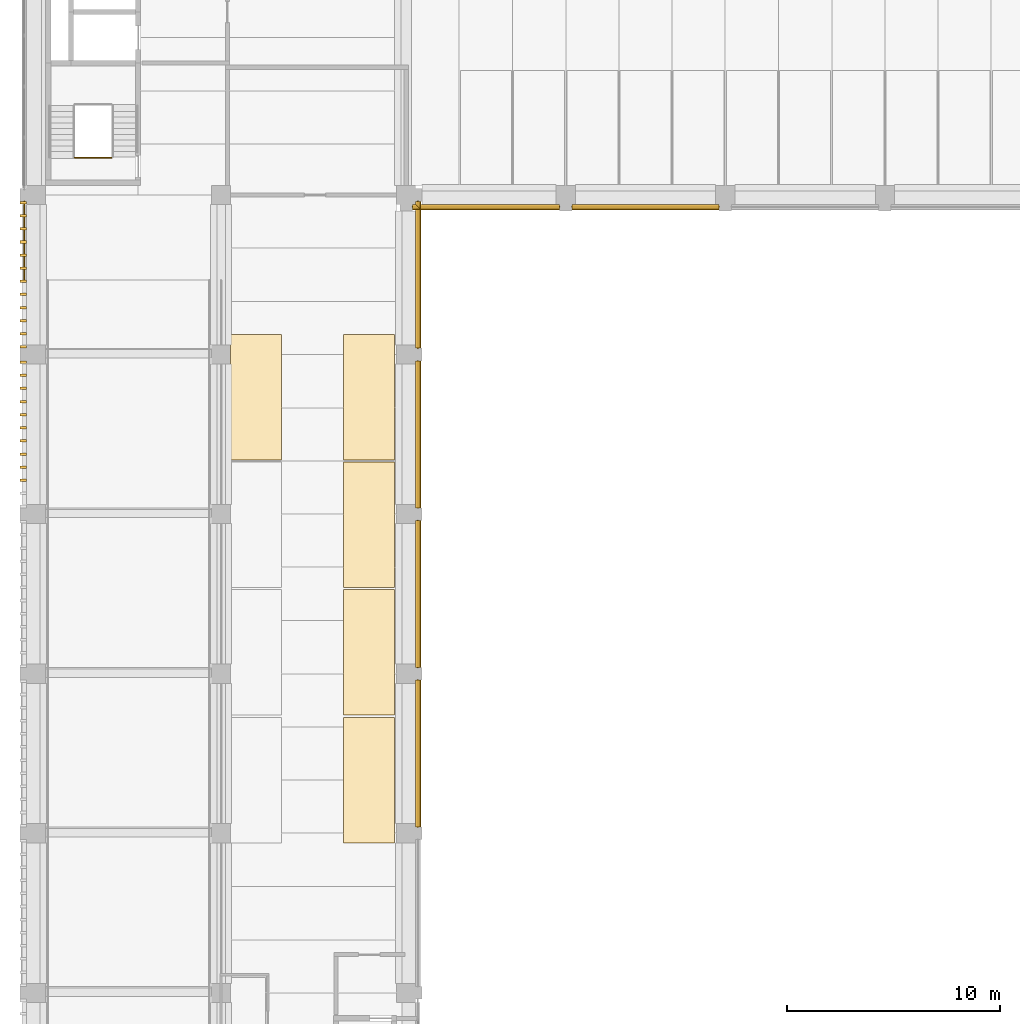
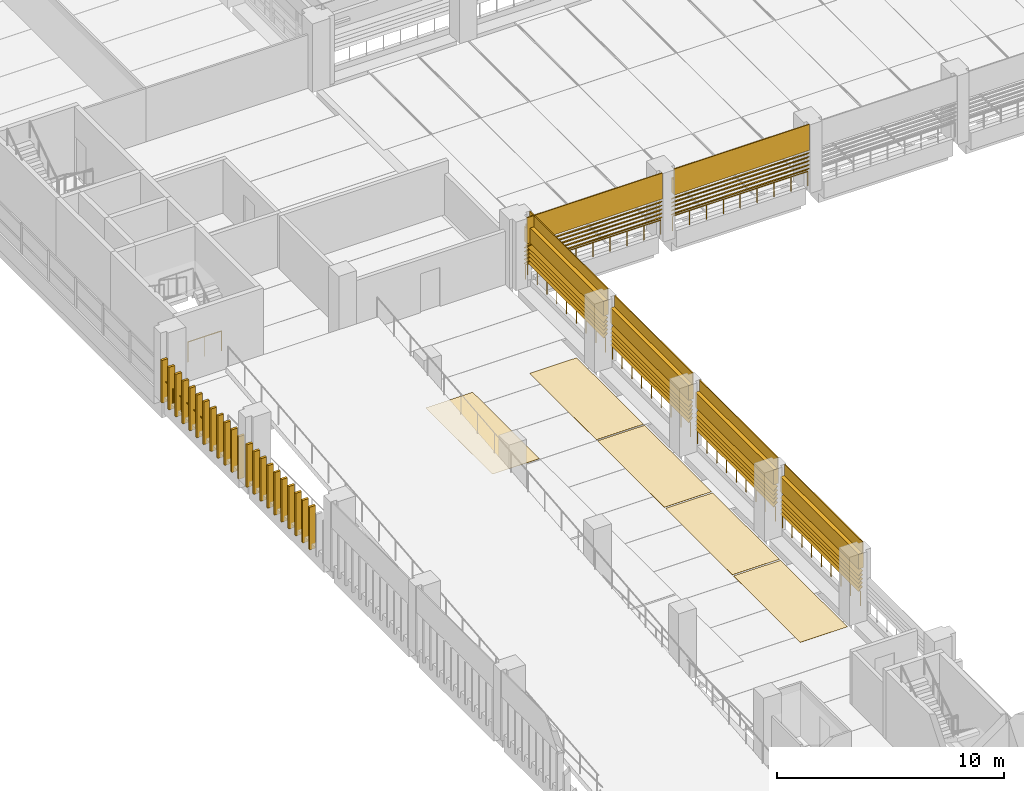
# One storey, part 39 of 57: 33 coverings, 30 shading devices, 8 railings.
"""IFC4 building model written with IfcOpenShell, lengths in metres."""

from ifc_helpers import new_model, si_unit, direction, frame, origin, origin_2d, place, context, subcontext, project, spatial, polyline, circle, outline, extrude, material, layer, layer_set, type_object, element, save


model = new_model("IFC4")

# Units and contexts
model_context = context("Model", 3, precision=1e-05, world=origin(), true_north=direction((0.0, 1.0)))
body_context = subcontext(model_context, "Body", "Model", "MODEL_VIEW")
ifc_project = project(units=[si_unit("LENGTHUNIT", "METRE"), si_unit("AREAUNIT", "SQUARE_METRE"), si_unit("VOLUMEUNIT", "CUBIC_METRE"), si_unit("PLANEANGLEUNIT", "RADIAN"), si_unit("MASSUNIT", "GRAM", prefix="KILO")], contexts=[model_context])

# Site, building, storey
site_placement = place(None, origin())
site = spatial("IfcSite", under=ifc_project, at=site_placement, CompositionType="ELEMENT")
building_placement = place(site_placement, origin())
building = spatial("IfcBuilding", under=site, at=building_placement, Name="Cour d'Honneur Mobility Palace", CompositionType="ELEMENT")
storey_placement = place(building_placement, frame((0.0, 0.0, 8.199951171875)))
storey = spatial("IfcBuildingStorey", under=building, at=storey_placement, Name="L02", CompositionType="ELEMENT", Elevation=8.199951171875)

# Railings
ifc_material_1 = material(Name="Painted steel", Category="steel")
railing_type_1 = type_object("IfcRailingType", Name="Balustrade", PredefinedType="BALUSTRADE", material=ifc_material_1)
for number, where, name in (
    (1, (17.949951171875, 15.300048828125, 0.300048828125), "Balustrade BAL-70"),
    (2, (17.949951171875, 22.800048828125, 0.300048828125), "Balustrade BAL-71"),
    (3, (17.949951171875, 30.300048828125, 0.300048828125), "Balustrade BAL-72"),
    (4, (17.949951171875, 37.800048828125, 0.300048828125), "Balustrade BAL-73"),
):
    element("IfcRailing", number, at=place(storey_placement, frame(where)), inside=storey, type_object=railing_type_1, Name=name, PredefinedType="BALUSTRADE", context=body_context, shape_type="SweptSolid", body=[
        extrude(circle(Radius=0.02392578125, at=origin_2d()), frame((0.0, 0.0, 0.77587890625), z_axis=(0.0, 1.0, 0.0), x_axis=(-1.0, 0.0, 0.0)), (0.0, 0.0, 1.0), 6.89990234375),
        extrude(circle(Radius=0.02099609375, at=origin_2d()), origin(), (0.0, 0.0, 1.0), 0.751953125),
        extrude(circle(Radius=0.02099609375, at=origin_2d()), frame((0.0, 0.862548828125, 0.0)), (0.0, 0.0, 1.0), 0.751953125),
        extrude(circle(Radius=0.02099609375, at=origin_2d()), frame((0.0, 1.72509765625, 0.0)), (0.0, 0.0, 1.0), 0.751953125),
        extrude(circle(Radius=0.02099609375, at=origin_2d()), frame((0.0, 2.58740234375, 0.0)), (0.0, 0.0, 1.0), 0.751953125),
        extrude(circle(Radius=0.02099609375, at=origin_2d()), frame((0.0, 3.449951171875, 0.0)), (0.0, 0.0, 1.0), 0.751953125),
        extrude(circle(Radius=0.02099609375, at=origin_2d()), frame((0.0, 4.3125, 0.0)), (0.0, 0.0, 1.0), 0.751953125),
        extrude(circle(Radius=0.02099609375, at=origin_2d()), frame((0.0, 5.1748046875, 0.0)), (0.0, 0.0, 1.0), 0.751953125),
        extrude(circle(Radius=0.02099609375, at=origin_2d()), frame((0.0, 6.037353515625, 0.0)), (0.0, 0.0, 1.0), 0.751953125),
        extrude(circle(Radius=0.02099609375, at=origin_2d()), frame((0.0, 6.89990234375, 0.0)), (0.0, 0.0, 1.0), 0.751953125),
    ])
for number, where, name in (
    (5, (17.699951171875, 44.449951171875, 0.300048828125), "Balustrade BAL-74"),
    (6, (25.199951171875, 44.449951171875, 0.300048828125), "Balustrade BAL-75"),
):
    element("IfcRailing", number, at=place(storey_placement, frame(where)), inside=storey, type_object=railing_type_1, Name=name, PredefinedType="BALUSTRADE", context=body_context, shape_type="SweptSolid", body=[
        extrude(circle(Radius=0.02392578125, at=origin_2d()), frame((0.0, 0.0, 0.77587890625), z_axis=(1.0, 0.0, 0.0), x_axis=(0.0, 1.0, 0.0)), (0.0, 0.0, 1.0), 6.900146484375),
        extrude(circle(Radius=0.02099609375, at=origin_2d()), origin(), (0.0, 0.0, 1.0), 0.751953125),
        extrude(circle(Radius=0.02099609375, at=origin_2d()), frame((0.862548828125, 0.0, 0.0)), (0.0, 0.0, 1.0), 0.751953125),
        extrude(circle(Radius=0.02099609375, at=origin_2d()), frame((1.72509765625, 0.0, 0.0)), (0.0, 0.0, 1.0), 0.751953125),
        extrude(circle(Radius=0.02099609375, at=origin_2d()), frame((2.587646484375, 0.0, 0.0)), (0.0, 0.0, 1.0), 0.751953125),
        extrude(circle(Radius=0.02099609375, at=origin_2d()), frame((3.4501953125, 0.0, 0.0)), (0.0, 0.0, 1.0), 0.751953125),
        extrude(circle(Radius=0.02099609375, at=origin_2d()), frame((4.3125, 0.0, 0.0)), (0.0, 0.0, 1.0), 0.751953125),
        extrude(circle(Radius=0.02099609375, at=origin_2d()), frame((5.175048828125, 0.0, 0.0)), (0.0, 0.0, 1.0), 0.751953125),
        extrude(circle(Radius=0.02099609375, at=origin_2d()), frame((6.03759765625, 0.0, 0.0)), (0.0, 0.0, 1.0), 0.751953125),
        extrude(circle(Radius=0.02099609375, at=origin_2d()), frame((6.900146484375, 0.0, 0.0)), (0.0, 0.0, 1.0), 0.751953125),
    ])
railing_1_placement = place(storey_placement, frame((-0.550048828125, 44.699951171875, 0.300048828125)))
element("IfcRailing", 7, at=railing_1_placement, inside=storey, type_object=railing_type_1, Name="Balustrade BAL-129", PredefinedType="BALUSTRADE", context=body_context, shape_type="SweptSolid", body=[
    extrude(circle(Radius=0.02392578125, at=origin_2d()), frame((0.0, 0.0, 0.77587890625), z_axis=(0.0, -1.0, 0.0), x_axis=(1.0, 0.0, 0.0)), (0.0, 0.0, 1.0), 3.699951171875),
    extrude(circle(Radius=0.02099609375, at=origin_2d()), origin(), (0.0, 0.0, 1.0), 0.751953125),
    extrude(circle(Radius=0.02099609375, at=origin_2d()), frame((0.0, -0.739990234375, 0.0)), (0.0, 0.0, 1.0), 0.751953125),
    extrude(circle(Radius=0.02099609375, at=origin_2d()), frame((0.0, -1.47998046875, 0.0)), (0.0, 0.0, 1.0), 0.751953125),
    extrude(circle(Radius=0.02099609375, at=origin_2d()), frame((0.0, -2.219970703125, 0.0)), (0.0, 0.0, 1.0), 0.751953125),
    extrude(circle(Radius=0.02099609375, at=origin_2d()), frame((0.0, -2.9599609375, 0.0)), (0.0, 0.0, 1.0), 0.751953125),
    extrude(circle(Radius=0.02099609375, at=origin_2d()), frame((0.0, -3.699951171875, 0.0)), (0.0, 0.0, 1.0), 0.751953125),
])
ifc_material_2 = material(Name="Painted steel", Category="steel")
railing_type_2 = type_object("IfcRailingType", Name="Guardrail 1100", PredefinedType="GUARDRAIL", material=ifc_material_2)
railing_2_placement = place(storey_placement, frame((1.824951171875, 46.7548828125, 0.0)))
element("IfcRailing", 8, at=railing_2_placement, inside=storey, type_object=railing_type_2, Name="Guard ST-CW1", PredefinedType="GUARDRAIL", context=body_context, shape_type="SweptSolid", body=[
    extrude(circle(Radius=0.02490234375, at=origin_2d()), frame((0.0, 0.0, 1.0751953125), z_axis=(1.0, 0.0, 0.0), x_axis=(0.0, 1.0, 0.0)), (0.0, 0.0, 1.0), 1.72509765625),
    extrude(circle(Radius=0.02099609375, at=origin_2d()), origin(), (0.0, 0.0, 1.0), 1.050048828125),
    extrude(circle(Radius=0.02099609375, at=origin_2d()), frame((0.862548828125, 0.0, 0.0)), (0.0, 0.0, 1.0), 1.050048828125),
    extrude(circle(Radius=0.02099609375, at=origin_2d()), frame((1.72509765625, 0.0, 0.0)), (0.0, 0.0, 1.0), 1.050048828125),
])

# Coverings
ifc_material_3 = material(Name="Parking marking paint")
ifc_layer_1 = layer(ifc_material_3, 0.0048828125)
ifc_layer_set_1 = layer_set([ifc_layer_1], Name="Parking marking paint")
covering_type_1 = type_object("IfcCoveringType", Name="Parking bay marking", PredefinedType="FLOORING", material=ifc_layer_set_1)
covering_1_placement = place(storey_placement, origin())
element("IfcCovering", 9, at=covering_1_placement, inside=storey, type_object=covering_type_1, Name="Parking bay marking L02 89", PredefinedType="FLOORING", context=body_context, shape_type="SweptSolid", body=[
    extrude(outline(polyline([(11.550048828125, 32.550048828125), (9.14990234375, 32.550048828125), (9.14990234375, 38.449951171875), (11.550048828125, 38.449951171875), (11.550048828125, 32.550048828125)])), origin(), (0.0, 0.0, 1.0), 0.005126953125),
])
covering_2_placement = place(storey_placement, origin())
element("IfcCovering", 10, at=covering_2_placement, inside=storey, type_object=covering_type_1, Name="Parking bay marking L02 90", PredefinedType="FLOORING", context=body_context, shape_type="SweptSolid", body=[
    extrude(outline(polyline([(16.85009765625, 14.550048828125), (14.449951171875, 14.550048828125), (14.449951171875, 20.449951171875), (16.85009765625, 20.449951171875), (16.85009765625, 14.550048828125)])), origin(), (0.0, 0.0, 1.0), 0.005126953125),
])
covering_3_placement = place(storey_placement, origin())
element("IfcCovering", 11, at=covering_3_placement, inside=storey, type_object=covering_type_1, Name="Parking bay marking L02 91", PredefinedType="FLOORING", context=body_context, shape_type="SweptSolid", body=[
    extrude(outline(polyline([(16.85009765625, 20.550048828125), (14.449951171875, 20.550048828125), (14.449951171875, 26.449951171875), (16.85009765625, 26.449951171875), (16.85009765625, 20.550048828125)])), origin(), (0.0, 0.0, 1.0), 0.005126953125),
])
covering_4_placement = place(storey_placement, origin())
element("IfcCovering", 12, at=covering_4_placement, inside=storey, type_object=covering_type_1, Name="Parking bay marking L02 92", PredefinedType="FLOORING", context=body_context, shape_type="SweptSolid", body=[
    extrude(outline(polyline([(16.85009765625, 26.550048828125), (14.449951171875, 26.550048828125), (14.449951171875, 32.449951171875), (16.85009765625, 32.449951171875), (16.85009765625, 26.550048828125)])), origin(), (0.0, 0.0, 1.0), 0.005126953125),
])
covering_5_placement = place(storey_placement, origin())
element("IfcCovering", 13, at=covering_5_placement, inside=storey, type_object=covering_type_1, Name="Parking bay marking L02 93", PredefinedType="FLOORING", context=body_context, shape_type="SweptSolid", body=[
    extrude(outline(polyline([(16.85009765625, 32.550048828125), (14.449951171875, 32.550048828125), (14.449951171875, 38.449951171875), (16.85009765625, 38.449951171875), (16.85009765625, 32.550048828125)])), origin(), (0.0, 0.0, 1.0), 0.005126953125),
])
ifc_material_4 = material(Name="Cast limestone", Category="masonry")
ifc_layer_2 = layer(ifc_material_4, 0.1201171875)
ifc_layer_set_2 = layer_set([ifc_layer_2], Name="Cast limestone")
covering_type_2 = type_object("IfcCoveringType", Name="Ramp screen fin", PredefinedType="CLADDING", material=ifc_layer_set_2)
covering_6_placement = place(storey_placement, origin())
element("IfcCovering", 14, at=covering_6_placement, inside=storey, type_object=covering_type_2, Name="Ramp screen fin W11.8 L02 1", PredefinedType="CLADDING", context=body_context, shape_type="SweptSolid", body=[
    extrude(outline(polyline([(-0.449951171875, 44.699951171875), (-0.449951171875, 44.580078125), (-0.75, 44.580078125), (-0.75, 44.699951171875), (-0.449951171875, 44.699951171875)])), origin(), (0.0, 0.0, 1.0), 2.300048828125),
])
covering_7_placement = place(storey_placement, origin())
element("IfcCovering", 15, at=covering_7_placement, inside=storey, type_object=covering_type_2, Name="Ramp screen fin W11.8 L02 2", PredefinedType="CLADDING", context=body_context, shape_type="SweptSolid", body=[
    extrude(outline(polyline([(-0.449951171875, 44.083740234375), (-0.449951171875, 43.963623046875), (-0.75, 43.963623046875), (-0.75, 44.083740234375), (-0.449951171875, 44.083740234375)])), origin(), (0.0, 0.0, 1.0), 2.300048828125),
])
covering_8_placement = place(storey_placement, origin())
element("IfcCovering", 16, at=covering_8_placement, inside=storey, type_object=covering_type_2, Name="Ramp screen fin W11.8 L02 3", PredefinedType="CLADDING", context=body_context, shape_type="SweptSolid", body=[
    extrude(outline(polyline([(-0.449951171875, 43.46728515625), (-0.449951171875, 43.34716796875), (-0.75, 43.34716796875), (-0.75, 43.46728515625), (-0.449951171875, 43.46728515625)])), origin(), (0.0, 0.0, 1.0), 2.300048828125),
])
covering_9_placement = place(storey_placement, origin())
element("IfcCovering", 17, at=covering_9_placement, inside=storey, type_object=covering_type_2, Name="Ramp screen fin W11.8 L02 4", PredefinedType="CLADDING", context=body_context, shape_type="SweptSolid", body=[
    extrude(outline(polyline([(-0.449951171875, 42.850830078125), (-0.449951171875, 42.73095703125), (-0.75, 42.73095703125), (-0.75, 42.850830078125), (-0.449951171875, 42.850830078125)])), origin(), (0.0, 0.0, 1.0), 2.300048828125),
])
covering_10_placement = place(storey_placement, origin())
element("IfcCovering", 18, at=covering_10_placement, inside=storey, type_object=covering_type_2, Name="Ramp screen fin W11.8 L02 5", PredefinedType="CLADDING", context=body_context, shape_type="SweptSolid", body=[
    extrude(outline(polyline([(-0.449951171875, 42.234619140625), (-0.449951171875, 42.114501953125), (-0.75, 42.114501953125), (-0.75, 42.234619140625), (-0.449951171875, 42.234619140625)])), origin(), (0.0, 0.0, 1.0), 2.300048828125),
])
covering_11_placement = place(storey_placement, origin())
element("IfcCovering", 19, at=covering_11_placement, inside=storey, type_object=covering_type_2, Name="Ramp screen fin W11.8 L02 6", PredefinedType="CLADDING", context=body_context, shape_type="SweptSolid", body=[
    extrude(outline(polyline([(-0.449951171875, 41.6181640625), (-0.449951171875, 41.498291015625), (-0.75, 41.498291015625), (-0.75, 41.6181640625), (-0.449951171875, 41.6181640625)])), origin(), (0.0, 0.0, 1.0), 2.300048828125),
])
covering_12_placement = place(storey_placement, origin())
element("IfcCovering", 20, at=covering_12_placement, inside=storey, type_object=covering_type_2, Name="Ramp screen fin W11.8 L02 7", PredefinedType="CLADDING", context=body_context, shape_type="SweptSolid", body=[
    extrude(outline(polyline([(-0.449951171875, 41.001708984375), (-0.449951171875, 40.8818359375), (-0.75, 40.8818359375), (-0.75, 41.001708984375), (-0.449951171875, 41.001708984375)])), origin(), (0.0, 0.0, 1.0), 2.300048828125),
])
covering_13_placement = place(storey_placement, origin())
element("IfcCovering", 21, at=covering_13_placement, inside=storey, type_object=covering_type_2, Name="Ramp screen fin W11.8 L02 8", PredefinedType="CLADDING", context=body_context, shape_type="SweptSolid", body=[
    extrude(outline(polyline([(-0.449951171875, 40.385498046875), (-0.449951171875, 40.265380859375), (-0.75, 40.265380859375), (-0.75, 40.385498046875), (-0.449951171875, 40.385498046875)])), origin(), (0.0, 0.0, 1.0), 2.300048828125),
])
covering_14_placement = place(storey_placement, origin())
element("IfcCovering", 22, at=covering_14_placement, inside=storey, type_object=covering_type_2, Name="Ramp screen fin W11.8 L02 9", PredefinedType="CLADDING", context=body_context, shape_type="SweptSolid", body=[
    extrude(outline(polyline([(-0.449951171875, 39.76904296875), (-0.449951171875, 39.649169921875), (-0.75, 39.649169921875), (-0.75, 39.76904296875), (-0.449951171875, 39.76904296875)])), origin(), (0.0, 0.0, 1.0), 2.300048828125),
])
covering_15_placement = place(storey_placement, origin())
element("IfcCovering", 23, at=covering_15_placement, inside=storey, type_object=covering_type_2, Name="Ramp screen fin W11.8 L02 10", PredefinedType="CLADDING", context=body_context, shape_type="SweptSolid", body=[
    extrude(outline(polyline([(-0.449951171875, 39.15283203125), (-0.449951171875, 39.03271484375), (-0.75, 39.03271484375), (-0.75, 39.15283203125), (-0.449951171875, 39.15283203125)])), origin(), (0.0, 0.0, 1.0), 2.300048828125),
])
covering_16_placement = place(storey_placement, origin())
element("IfcCovering", 24, at=covering_16_placement, inside=storey, type_object=covering_type_2, Name="Ramp screen fin W11.8 L02 11", PredefinedType="CLADDING", context=body_context, shape_type="SweptSolid", body=[
    extrude(outline(polyline([(-0.449951171875, 38.536376953125), (-0.449951171875, 38.416259765625), (-0.75, 38.416259765625), (-0.75, 38.536376953125), (-0.449951171875, 38.536376953125)])), origin(), (0.0, 0.0, 1.0), 2.300048828125),
])
covering_17_placement = place(storey_placement, origin())
element("IfcCovering", 25, at=covering_17_placement, inside=storey, type_object=covering_type_2, Name="Ramp screen fin W11.8 L02 12", PredefinedType="CLADDING", context=body_context, shape_type="SweptSolid", body=[
    extrude(outline(polyline([(-0.449951171875, 37.919921875), (-0.449951171875, 37.800048828125), (-0.75, 37.800048828125), (-0.75, 37.919921875), (-0.449951171875, 37.919921875)])), origin(), (0.0, 0.0, 1.0), 2.300048828125),
])
covering_18_placement = place(storey_placement, origin())
element("IfcCovering", 26, at=covering_18_placement, inside=storey, type_object=covering_type_2, Name="Ramp screen fin W11.9 L02 1", PredefinedType="CLADDING", context=body_context, shape_type="SweptSolid", body=[
    extrude(outline(polyline([(-0.449951171875, 37.199951171875), (-0.449951171875, 37.080078125), (-0.75, 37.080078125), (-0.75, 37.199951171875), (-0.449951171875, 37.199951171875)])), origin(), (0.0, 0.0, 1.0), 2.300048828125),
])
covering_19_placement = place(storey_placement, origin())
element("IfcCovering", 27, at=covering_19_placement, inside=storey, type_object=covering_type_2, Name="Ramp screen fin W11.9 L02 2", PredefinedType="CLADDING", context=body_context, shape_type="SweptSolid", body=[
    extrude(outline(polyline([(-0.449951171875, 36.583740234375), (-0.449951171875, 36.463623046875), (-0.75, 36.463623046875), (-0.75, 36.583740234375), (-0.449951171875, 36.583740234375)])), origin(), (0.0, 0.0, 1.0), 2.300048828125),
])
covering_20_placement = place(storey_placement, origin())
element("IfcCovering", 28, at=covering_20_placement, inside=storey, type_object=covering_type_2, Name="Ramp screen fin W11.9 L02 3", PredefinedType="CLADDING", context=body_context, shape_type="SweptSolid", body=[
    extrude(outline(polyline([(-0.449951171875, 35.96728515625), (-0.449951171875, 35.84716796875), (-0.75, 35.84716796875), (-0.75, 35.96728515625), (-0.449951171875, 35.96728515625)])), origin(), (0.0, 0.0, 1.0), 2.300048828125),
])
covering_21_placement = place(storey_placement, origin())
element("IfcCovering", 29, at=covering_21_placement, inside=storey, type_object=covering_type_2, Name="Ramp screen fin W11.9 L02 4", PredefinedType="CLADDING", context=body_context, shape_type="SweptSolid", body=[
    extrude(outline(polyline([(-0.449951171875, 35.350830078125), (-0.449951171875, 35.23095703125), (-0.75, 35.23095703125), (-0.75, 35.350830078125), (-0.449951171875, 35.350830078125)])), origin(), (0.0, 0.0, 1.0), 2.300048828125),
])
covering_22_placement = place(storey_placement, origin())
element("IfcCovering", 30, at=covering_22_placement, inside=storey, type_object=covering_type_2, Name="Ramp screen fin W11.9 L02 5", PredefinedType="CLADDING", context=body_context, shape_type="SweptSolid", body=[
    extrude(outline(polyline([(-0.449951171875, 34.734619140625), (-0.449951171875, 34.614501953125), (-0.75, 34.614501953125), (-0.75, 34.734619140625), (-0.449951171875, 34.734619140625)])), origin(), (0.0, 0.0, 1.0), 2.300048828125),
])
covering_23_placement = place(storey_placement, origin())
element("IfcCovering", 31, at=covering_23_placement, inside=storey, type_object=covering_type_2, Name="Ramp screen fin W11.9 L02 6", PredefinedType="CLADDING", context=body_context, shape_type="SweptSolid", body=[
    extrude(outline(polyline([(-0.449951171875, 34.1181640625), (-0.449951171875, 33.998291015625), (-0.75, 33.998291015625), (-0.75, 34.1181640625), (-0.449951171875, 34.1181640625)])), origin(), (0.0, 0.0, 1.0), 2.300048828125),
])
covering_24_placement = place(storey_placement, origin())
element("IfcCovering", 32, at=covering_24_placement, inside=storey, type_object=covering_type_2, Name="Ramp screen fin W11.9 L02 7", PredefinedType="CLADDING", context=body_context, shape_type="SweptSolid", body=[
    extrude(outline(polyline([(-0.449951171875, 33.501708984375), (-0.449951171875, 33.3818359375), (-0.75, 33.3818359375), (-0.75, 33.501708984375), (-0.449951171875, 33.501708984375)])), origin(), (0.0, 0.0, 1.0), 2.300048828125),
])
covering_25_placement = place(storey_placement, origin())
element("IfcCovering", 33, at=covering_25_placement, inside=storey, type_object=covering_type_2, Name="Ramp screen fin W11.9 L02 8", PredefinedType="CLADDING", context=body_context, shape_type="SweptSolid", body=[
    extrude(outline(polyline([(-0.449951171875, 32.885498046875), (-0.449951171875, 32.765380859375), (-0.75, 32.765380859375), (-0.75, 32.885498046875), (-0.449951171875, 32.885498046875)])), origin(), (0.0, 0.0, 1.0), 2.300048828125),
])
covering_26_placement = place(storey_placement, origin())
element("IfcCovering", 34, at=covering_26_placement, inside=storey, type_object=covering_type_2, Name="Ramp screen fin W11.9 L02 9", PredefinedType="CLADDING", context=body_context, shape_type="SweptSolid", body=[
    extrude(outline(polyline([(-0.449951171875, 32.26904296875), (-0.449951171875, 32.149169921875), (-0.75, 32.149169921875), (-0.75, 32.26904296875), (-0.449951171875, 32.26904296875)])), origin(), (0.0, 0.0, 1.0), 2.300048828125),
])
covering_27_placement = place(storey_placement, origin())
element("IfcCovering", 35, at=covering_27_placement, inside=storey, type_object=covering_type_2, Name="Ramp screen fin W11.9 L02 10", PredefinedType="CLADDING", context=body_context, shape_type="SweptSolid", body=[
    extrude(outline(polyline([(-0.449951171875, 31.65283203125), (-0.449951171875, 31.53271484375), (-0.75, 31.53271484375), (-0.75, 31.65283203125), (-0.449951171875, 31.65283203125)])), origin(), (0.0, 0.0, 1.0), 2.300048828125),
])
ifc_material_5 = material(Name="Cast limestone", Category="masonry")
ifc_layer_3 = layer(ifc_material_5, 0.25)
ifc_layer_set_3 = layer_set([ifc_layer_3], Name="Cast limestone")
covering_type_3 = type_object("IfcCoveringType", Name="Spandrel cladding", PredefinedType="CLADDING", material=ifc_layer_set_3)
for number, where, z_axis, x_axis, name in (
    (36, (17.85009765625, 15.300048828125, 2.300048828125), (0.0, -1.0, 0.0), (1.0, 0.0, 0.0), "Spandrel cladding SK-139"),
    (37, (17.85009765625, 22.800048828125, 2.300048828125), (0.0, -1.0, 0.0), (1.0, 0.0, 0.0), "Spandrel cladding SK-140"),
    (38, (17.85009765625, 30.300048828125, 2.300048828125), (0.0, -1.0, 0.0), (1.0, 0.0, 0.0), "Spandrel cladding SK-141"),
    (39, (17.85009765625, 37.800048828125, 2.300048828125), (0.0, -1.0, 0.0), (1.0, 0.0, 0.0), "Spandrel cladding SK-142"),
    (40, (17.699951171875, 44.550048828125, 2.300048828125), (-1.0, 0.0, 0.0), (0.0, -1.0, 0.0), "Spandrel cladding SK-143"),
    (41, (25.199951171875, 44.550048828125, 2.300048828125), (-1.0, 0.0, 0.0), (0.0, -1.0, 0.0), "Spandrel cladding SK-144"),
):
    element("IfcCovering", number, at=place(storey_placement, frame(where, z_axis=z_axis, x_axis=x_axis)), inside=storey, type_object=covering_type_3, Name=name, PredefinedType="CLADDING", context=body_context, shape_type="SweptSolid", body=[
        extrude(outline(polyline([(0.0, 0.0), (0.25, 0.0), (0.25, 1.39990234375), (0.199951171875, 1.39990234375), (0.199951171875, 0.800048828125), (0.0, 0.800048828125), (0.0, 0.0)])), origin(), (0.0, 0.0, -1.0), 6.89990234375),
    ])

# Shading devices
ifc_material_6 = material(Name="Terracotta", Category="masonry")
ifc_layer_4 = layer(ifc_material_6, 0.02490234375)
ifc_layer_set_4 = layer_set([ifc_layer_4], Name="Terracotta")
shading_device_type = type_object("IfcShadingDeviceType", Name="Terracotta louvre blade", PredefinedType="JALOUSIE", material=ifc_layer_set_4)
for number, where, z_axis, x_axis, name in (
    (42, (17.843994140625, 15.300048828125, 1.10009765625), (-0.707106781187, 0.0, 0.707106781187), (0.0, 1.0, 0.0), "Louvre blade LV-1 E1.2 L02 1"),
    (43, (17.843994140625, 15.300048828125, 1.312255859375), (-0.707106781187, 0.0, 0.707106781187), (0.0, 1.0, 0.0), "Louvre blade LV-1 E1.2 L02 2"),
):
    element("IfcShadingDevice", number, at=place(storey_placement, frame(where, z_axis=z_axis, x_axis=x_axis)), inside=storey, type_object=shading_device_type, Name=name, PredefinedType="JALOUSIE", context=body_context, shape_type="SweptSolid", body=[
        extrude(outline(polyline([(0.0, 0.0), (6.89990234375, 0.0), (6.89990234375, -0.300037008228081), (0.0, -0.300037008228081), (0.0, 0.0)])), origin(), (0.0, 0.0, -1.0), 0.02490234375),
    ])
shading_device_1_placement = place(storey_placement, frame((17.843994140625, 15.300048828125, 1.5244140625), z_axis=(-0.706699578995, 0.0, 0.707513749017), x_axis=(0.0, 1.0, 0.0)))
element("IfcShadingDevice", 44, at=shading_device_1_placement, inside=storey, type_object=shading_device_type, Name="Louvre blade LV-1 E1.2 L02 3", PredefinedType="JALOUSIE", context=body_context, shape_type="SweptSolid", body=[
    extrude(outline(polyline([(0.0, 0.0), (6.89990234375, 0.0), (6.89990234375, -0.29986442442957895), (0.0, -0.29986442442957895), (0.0, 0.0)])), origin(), (0.0, 0.0, -1.0), 0.02490234375),
])
for number, where, z_axis, x_axis, name in (
    (45, (17.843994140625, 15.300048828125, 1.736328125), (-0.707106781187, 0.0, 0.707106781187), (0.0, 1.0, 0.0), "Louvre blade LV-1 E1.2 L02 4"),
    (46, (17.843994140625, 15.300048828125, 1.948486328125), (-0.707106781187, 0.0, 0.707106781187), (0.0, 1.0, 0.0), "Louvre blade LV-1 E1.2 L02 5"),
    (47, (17.843994140625, 22.800048828125, 1.10009765625), (-0.707106781187, 0.0, 0.707106781187), (0.0, 1.0, 0.0), "Louvre blade LV-1 E1.3 L02 1"),
    (48, (17.843994140625, 22.800048828125, 1.312255859375), (-0.707106781187, 0.0, 0.707106781187), (0.0, 1.0, 0.0), "Louvre blade LV-1 E1.3 L02 2"),
):
    element("IfcShadingDevice", number, at=place(storey_placement, frame(where, z_axis=z_axis, x_axis=x_axis)), inside=storey, type_object=shading_device_type, Name=name, PredefinedType="JALOUSIE", context=body_context, shape_type="SweptSolid", body=[
        extrude(outline(polyline([(0.0, 0.0), (6.89990234375, 0.0), (6.89990234375, -0.300037008228081), (0.0, -0.300037008228081), (0.0, 0.0)])), origin(), (0.0, 0.0, -1.0), 0.02490234375),
    ])
shading_device_2_placement = place(storey_placement, frame((17.843994140625, 22.800048828125, 1.5244140625), z_axis=(-0.706699578995, 0.0, 0.707513749017), x_axis=(0.0, 1.0, 0.0)))
element("IfcShadingDevice", 49, at=shading_device_2_placement, inside=storey, type_object=shading_device_type, Name="Louvre blade LV-1 E1.3 L02 3", PredefinedType="JALOUSIE", context=body_context, shape_type="SweptSolid", body=[
    extrude(outline(polyline([(0.0, 0.0), (6.89990234375, 0.0), (6.89990234375, -0.29986442442957895), (0.0, -0.29986442442957895), (0.0, 0.0)])), origin(), (0.0, 0.0, -1.0), 0.02490234375),
])
for number, where, z_axis, x_axis, name in (
    (50, (17.843994140625, 22.800048828125, 1.736328125), (-0.707106781187, 0.0, 0.707106781187), (0.0, 1.0, 0.0), "Louvre blade LV-1 E1.3 L02 4"),
    (51, (17.843994140625, 22.800048828125, 1.948486328125), (-0.707106781187, 0.0, 0.707106781187), (0.0, 1.0, 0.0), "Louvre blade LV-1 E1.3 L02 5"),
    (52, (17.843994140625, 30.300048828125, 1.10009765625), (-0.707106781187, 0.0, 0.707106781187), (0.0, 1.0, 0.0), "Louvre blade LV-1 E1.4 L02 1"),
    (53, (17.843994140625, 30.300048828125, 1.312255859375), (-0.707106781187, 0.0, 0.707106781187), (0.0, 1.0, 0.0), "Louvre blade LV-1 E1.4 L02 2"),
):
    element("IfcShadingDevice", number, at=place(storey_placement, frame(where, z_axis=z_axis, x_axis=x_axis)), inside=storey, type_object=shading_device_type, Name=name, PredefinedType="JALOUSIE", context=body_context, shape_type="SweptSolid", body=[
        extrude(outline(polyline([(0.0, 0.0), (6.89990234375, 0.0), (6.89990234375, -0.300037008228081), (0.0, -0.300037008228081), (0.0, 0.0)])), origin(), (0.0, 0.0, -1.0), 0.02490234375),
    ])
shading_device_3_placement = place(storey_placement, frame((17.843994140625, 30.300048828125, 1.5244140625), z_axis=(-0.706699578995, 0.0, 0.707513749017), x_axis=(0.0, 1.0, 0.0)))
element("IfcShadingDevice", 54, at=shading_device_3_placement, inside=storey, type_object=shading_device_type, Name="Louvre blade LV-1 E1.4 L02 3", PredefinedType="JALOUSIE", context=body_context, shape_type="SweptSolid", body=[
    extrude(outline(polyline([(0.0, 0.0), (6.89990234375, 0.0), (6.89990234375, -0.29986442442957895), (0.0, -0.29986442442957895), (0.0, 0.0)])), origin(), (0.0, 0.0, -1.0), 0.02490234375),
])
for number, where, z_axis, x_axis, name in (
    (55, (17.843994140625, 30.300048828125, 1.736328125), (-0.707106781187, 0.0, 0.707106781187), (0.0, 1.0, 0.0), "Louvre blade LV-1 E1.4 L02 4"),
    (56, (17.843994140625, 30.300048828125, 1.948486328125), (-0.707106781187, 0.0, 0.707106781187), (0.0, 1.0, 0.0), "Louvre blade LV-1 E1.4 L02 5"),
    (57, (17.843994140625, 37.800048828125, 1.10009765625), (-0.707106781187, 0.0, 0.707106781187), (0.0, 1.0, 0.0), "Louvre blade LV-1 E1.5 L02 1"),
    (58, (17.843994140625, 37.800048828125, 1.312255859375), (-0.707106781187, 0.0, 0.707106781187), (0.0, 1.0, 0.0), "Louvre blade LV-1 E1.5 L02 2"),
):
    element("IfcShadingDevice", number, at=place(storey_placement, frame(where, z_axis=z_axis, x_axis=x_axis)), inside=storey, type_object=shading_device_type, Name=name, PredefinedType="JALOUSIE", context=body_context, shape_type="SweptSolid", body=[
        extrude(outline(polyline([(0.0, 0.0), (6.89990234375, 0.0), (6.89990234375, -0.300037008228081), (0.0, -0.300037008228081), (0.0, 0.0)])), origin(), (0.0, 0.0, -1.0), 0.02490234375),
    ])
shading_device_4_placement = place(storey_placement, frame((17.843994140625, 37.800048828125, 1.5244140625), z_axis=(-0.706699578995, 0.0, 0.707513749017), x_axis=(0.0, 1.0, 0.0)))
element("IfcShadingDevice", 59, at=shading_device_4_placement, inside=storey, type_object=shading_device_type, Name="Louvre blade LV-1 E1.5 L02 3", PredefinedType="JALOUSIE", context=body_context, shape_type="SweptSolid", body=[
    extrude(outline(polyline([(0.0, 0.0), (6.89990234375, 0.0), (6.89990234375, -0.29986442442957895), (0.0, -0.29986442442957895), (0.0, 0.0)])), origin(), (0.0, 0.0, -1.0), 0.02490234375),
])
for number, where, z_axis, x_axis, name in (
    (60, (17.843994140625, 37.800048828125, 1.736328125), (-0.707106781187, 0.0, 0.707106781187), (0.0, 1.0, 0.0), "Louvre blade LV-1 E1.5 L02 4"),
    (61, (17.843994140625, 37.800048828125, 1.948486328125), (-0.707106781187, 0.0, 0.707106781187), (0.0, 1.0, 0.0), "Louvre blade LV-1 E1.5 L02 5"),
):
    element("IfcShadingDevice", number, at=place(storey_placement, frame(where, z_axis=z_axis, x_axis=x_axis)), inside=storey, type_object=shading_device_type, Name=name, PredefinedType="JALOUSIE", context=body_context, shape_type="SweptSolid", body=[
        extrude(outline(polyline([(0.0, 0.0), (6.89990234375, 0.0), (6.89990234375, -0.300037008228081), (0.0, -0.300037008228081), (0.0, 0.0)])), origin(), (0.0, 0.0, -1.0), 0.02490234375),
    ])
for number, where, z_axis, x_axis, name in (
    (62, (17.699951171875, 44.55615234375, 1.10009765625), (0.0, 0.707106781187, 0.707106781187), (1.0, 0.0, 0.0), "Louvre blade LV-1 S2.0 L02 1"),
    (63, (17.699951171875, 44.55615234375, 1.312255859375), (0.0, 0.707106781187, 0.707106781187), (1.0, 0.0, 0.0), "Louvre blade LV-1 S2.0 L02 2"),
):
    element("IfcShadingDevice", number, at=place(storey_placement, frame(where, z_axis=z_axis, x_axis=x_axis)), inside=storey, type_object=shading_device_type, Name=name, PredefinedType="JALOUSIE", context=body_context, shape_type="SweptSolid", body=[
        extrude(outline(polyline([(0.0, 0.0), (6.900146484375, 0.0), (6.900146484375, -0.300037008228081), (0.0, -0.300037008228081), (0.0, 0.0)])), origin(), (0.0, 0.0, -1.0), 0.02490234375),
    ])
shading_device_5_placement = place(storey_placement, frame((17.699951171875, 44.55615234375, 1.5244140625), z_axis=(0.0, 0.706699578995, 0.707513749017), x_axis=(1.0, 0.0, 0.0)))
element("IfcShadingDevice", 64, at=shading_device_5_placement, inside=storey, type_object=shading_device_type, Name="Louvre blade LV-1 S2.0 L02 3", PredefinedType="JALOUSIE", context=body_context, shape_type="SweptSolid", body=[
    extrude(outline(polyline([(0.0, 0.0), (6.900146484375, 0.0), (6.900146484375, -0.29986442442957895), (0.0, -0.29986442442957895), (0.0, 0.0)])), origin(), (0.0, 0.0, -1.0), 0.02490234375),
])
for number, where, z_axis, x_axis, name in (
    (65, (17.699951171875, 44.55615234375, 1.736328125), (0.0, 0.707106781187, 0.707106781187), (1.0, 0.0, 0.0), "Louvre blade LV-1 S2.0 L02 4"),
    (66, (17.699951171875, 44.55615234375, 1.948486328125), (0.0, 0.707106781187, 0.707106781187), (1.0, 0.0, 0.0), "Louvre blade LV-1 S2.0 L02 5"),
    (67, (25.199951171875, 44.55615234375, 1.10009765625), (0.0, 0.707106781187, 0.707106781187), (1.0, 0.0, 0.0), "Louvre blade LV-1 S2.1 L02 1"),
    (68, (25.199951171875, 44.55615234375, 1.312255859375), (0.0, 0.707106781187, 0.707106781187), (1.0, 0.0, 0.0), "Louvre blade LV-1 S2.1 L02 2"),
):
    element("IfcShadingDevice", number, at=place(storey_placement, frame(where, z_axis=z_axis, x_axis=x_axis)), inside=storey, type_object=shading_device_type, Name=name, PredefinedType="JALOUSIE", context=body_context, shape_type="SweptSolid", body=[
        extrude(outline(polyline([(0.0, 0.0), (6.900146484375, 0.0), (6.900146484375, -0.300037008228081), (0.0, -0.300037008228081), (0.0, 0.0)])), origin(), (0.0, 0.0, -1.0), 0.02490234375),
    ])
shading_device_6_placement = place(storey_placement, frame((25.199951171875, 44.55615234375, 1.5244140625), z_axis=(0.0, 0.706699578995, 0.707513749017), x_axis=(1.0, 0.0, 0.0)))
element("IfcShadingDevice", 69, at=shading_device_6_placement, inside=storey, type_object=shading_device_type, Name="Louvre blade LV-1 S2.1 L02 3", PredefinedType="JALOUSIE", context=body_context, shape_type="SweptSolid", body=[
    extrude(outline(polyline([(0.0, 0.0), (6.900146484375, 0.0), (6.900146484375, -0.29986442442957895), (0.0, -0.29986442442957895), (0.0, 0.0)])), origin(), (0.0, 0.0, -1.0), 0.02490234375),
])
for number, where, z_axis, x_axis, name in (
    (70, (25.199951171875, 44.55615234375, 1.736328125), (0.0, 0.707106781187, 0.707106781187), (1.0, 0.0, 0.0), "Louvre blade LV-1 S2.1 L02 4"),
    (71, (25.199951171875, 44.55615234375, 1.948486328125), (0.0, 0.707106781187, 0.707106781187), (1.0, 0.0, 0.0), "Louvre blade LV-1 S2.1 L02 5"),
):
    element("IfcShadingDevice", number, at=place(storey_placement, frame(where, z_axis=z_axis, x_axis=x_axis)), inside=storey, type_object=shading_device_type, Name=name, PredefinedType="JALOUSIE", context=body_context, shape_type="SweptSolid", body=[
        extrude(outline(polyline([(0.0, 0.0), (6.900146484375, 0.0), (6.900146484375, -0.300037008228081), (0.0, -0.300037008228081), (0.0, 0.0)])), origin(), (0.0, 0.0, -1.0), 0.02490234375),
    ])

save(model, "model.ifc")
